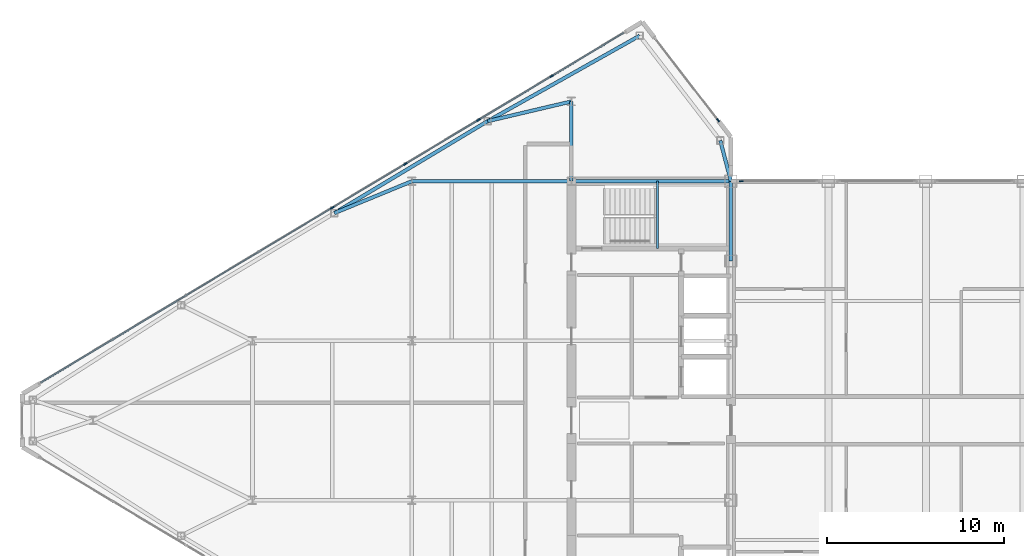
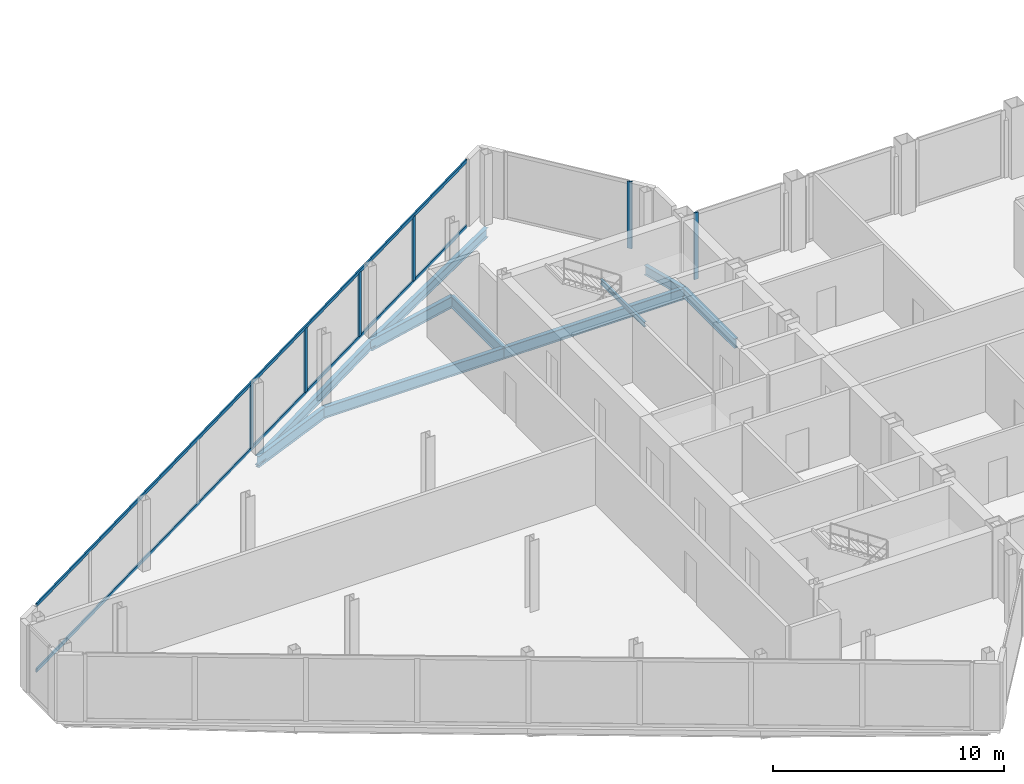
# One storey, part 11 of 28: 10 beams, 8 members, 3 elements without a shape of their own.
"""IFC4 building model written with IfcOpenShell, lengths in metres."""

from ifc_helpers import new_model, si_unit, direction, frame, origin, origin_2d, place, context, subcontext, project, spatial, rectangle, i_section, extrude, source, transform, mapped, material, layer, layer_set, material_profile, profile_set, type_object, type_shapes, element, aggregate, save


model = new_model("IFC4")

# Units and contexts
model_context = context("Model", 3, precision=1e-05, world=origin(), true_north=direction((0.0, 1.0)))
body_context = subcontext(model_context, "Body", "Model", "MODEL_VIEW")
ifc_project = project(units=[si_unit("LENGTHUNIT", "METRE"), si_unit("AREAUNIT", "SQUARE_METRE"), si_unit("VOLUMEUNIT", "CUBIC_METRE"), si_unit("PLANEANGLEUNIT", "RADIAN"), si_unit("MASSUNIT", "GRAM", prefix="KILO")], contexts=[model_context])

# Site, building, storey
site_placement = place(None, origin())
site = spatial("IfcSite", under=ifc_project, at=site_placement, CompositionType="ELEMENT")
building_placement = place(site_placement, origin())
building = spatial("IfcBuilding", under=site, at=building_placement, Name="Seokmaru Belvedere", CompositionType="ELEMENT")
storey_placement = place(building_placement, frame((0.0, 0.0, 261.89990234375)))
storey = spatial("IfcBuildingStorey", under=building, at=storey_placement, Name="L69", CompositionType="ELEMENT", Elevation=261.89990234375)

# Beams
ifc_material_1 = material(Name="Steel SM355 (355 MPa)", Category="steel")
ifc_material_profile_1 = material_profile(ifc_material_1, i_section(OverallWidth=0.199951171875, OverallDepth=0.5, WebThickness=0.010009765625, FlangeThickness=0.01611328125, at=origin_2d()), Name="H-500x200x10x16")
ifc_profile_set_1 = profile_set([ifc_material_profile_1], Name="Steel SM355 (355 MPa)")
beam_type_1 = type_object("IfcBeamType", Name="Perimeter Spandrel Beam H-500", PredefinedType="SPANDREL", material=ifc_profile_set_1)
shared_shape_1 = source(origin(), body_context, "Body", "SweptSolid", [
    extrude(i_section(OverallWidth=0.199951171875, OverallDepth=0.5, WebThickness=0.010009765625, FlangeThickness=0.01611328125, at=origin_2d()), origin(), (0.0, 0.0, 1.0), 4.5),
])
beam_1_placement = place(storey_placement, frame((-27.5, 9.0, -0.469970703125), z_axis=(0.0, 1.0, 0.0), x_axis=(-1.0, 0.0, 0.0)))
element("IfcBeam", 1, at=beam_1_placement, inside=storey, type_object=beam_type_1, Name="L69 W Portal Spine Spandrel 5", PredefinedType="SPANDREL", context=body_context, shape_type="MappedRepresentation", body=[
    mapped(shared_shape_1, transform((0.0, 0.0, 0.0), scale=1.0)),
])
ifc_material_profile_2 = material_profile(ifc_material_1, i_section(OverallWidth=0.199951171875, OverallDepth=0.60009765625, WebThickness=0.010986328125, FlangeThickness=0.01708984375, at=origin_2d()), Name="H-600x200x11x17")
ifc_profile_set_2 = profile_set([ifc_material_profile_2], Name="Steel SM355 (355 MPa)")
beam_type_2 = type_object("IfcBeamType", Name="Primary Floor Girder H-600", PredefinedType="BEAM", material=ifc_profile_set_2)
shared_shape_2 = source(origin(), body_context, "Body", "SweptSolid", [
    extrude(i_section(OverallWidth=0.199951171875, OverallDepth=0.60009765625, WebThickness=0.010986328125, FlangeThickness=0.01708984375, at=origin_2d()), origin(), (0.0, 0.0, 1.0), 9.0),
])
for number, where, z_axis, x_axis, name in (
    (2, (-36.5, 13.5, -0.52001953125), (1.0, 0.0, 0.0), (0.0, 1.0, 0.0), "L69 W Core Tie Girder 4"),
    (3, (-45.5, 13.5, -0.52001953125), (1.0, 0.0, 0.0), (0.0, 1.0, 0.0), "L69 W Wing Primary Girder 4"),
):
    element("IfcBeam", number, at=place(storey_placement, frame(where, z_axis=z_axis, x_axis=x_axis)), inside=storey, type_object=beam_type_2, Name=name, PredefinedType="BEAM", context=body_context, shape_type="MappedRepresentation", body=[
        mapped(shared_shape_2, transform((0.0, 0.0, 0.0), scale=1.0)),
    ])
shared_shape_3 = source(origin(), body_context, "Body", "SweptSolid", [
    extrude(i_section(OverallWidth=0.199951171875, OverallDepth=0.60009765625, WebThickness=0.010986328125, FlangeThickness=0.01708984375, at=origin_2d()), origin(), (0.0, 0.0, 1.0), 4.5),
])
beam_2_placement = place(storey_placement, frame((-36.5, 13.5, -0.52001953125), z_axis=(0.0, 1.0, 0.0), x_axis=(-1.0, 0.0, 0.0)))
element("IfcBeam", 4, at=beam_2_placement, inside=storey, type_object=beam_type_2, Name="L69 W Core Shoulder Girder N", PredefinedType="BEAM", context=body_context, shape_type="MappedRepresentation", body=[
    mapped(shared_shape_3, transform((0.0, 0.0, 0.0), scale=1.0)),
])
shared_shape_4 = source(origin(), body_context, "Body", "SweptSolid", [
    extrude(i_section(OverallWidth=0.199951171875, OverallDepth=0.5, WebThickness=0.010009765625, FlangeThickness=0.01611328125, at=origin_2d()), origin(), (0.0, 0.0, 1.0), 9.842041015625),
])
beam_3_placement = place(storey_placement, frame((-32.649658203125, 21.71044921875, -0.469970703125), z_axis=(-0.871782151818, -0.489893743349, 0.0), x_axis=(0.489893743349, -0.871782151818, 0.0)))
element("IfcBeam", 5, at=beam_3_placement, inside=storey, type_object=beam_type_1, Name="L69 W Faceted Flank Spandrel N-1", PredefinedType="SPANDREL", context=body_context, shape_type="MappedRepresentation", body=[
    mapped(shared_shape_4, transform((0.0, 0.0, 0.0), scale=1.0)),
])
shared_shape_5 = source(origin(), body_context, "Body", "SweptSolid", [
    extrude(i_section(OverallWidth=0.199951171875, OverallDepth=0.5, WebThickness=0.010009765625, FlangeThickness=0.01611328125, at=origin_2d()), origin(), (0.0, 0.0, 1.0), 10.087646484375),
])
beam_4_placement = place(storey_placement, frame((-41.229736328125, 16.888916015625, -0.469970703125), z_axis=(-0.857499332045, -0.514485078056, 0.0), x_axis=(0.514485078056, -0.857499332045, 0.0)))
element("IfcBeam", 6, at=beam_4_placement, inside=storey, type_object=beam_type_1, Name="L69 W Faceted Flank Spandrel N-2", PredefinedType="SPANDREL", context=body_context, shape_type="MappedRepresentation", body=[
    mapped(shared_shape_5, transform((0.0, 0.0, 0.0), scale=1.0)),
])
shared_shape_6 = source(origin(), body_context, "Body", "SweptSolid", [
    extrude(i_section(OverallWidth=0.199951171875, OverallDepth=0.5, WebThickness=0.010009765625, FlangeThickness=0.01611328125, at=origin_2d()), origin(), (0.0, 0.0, 1.0), 2.373046875),
])
type_shapes(beam_type_1, [shared_shape_1, shared_shape_4, shared_shape_5, shared_shape_6])
beam_5_placement = place(storey_placement, frame((-28.10009765625, 15.7958984375, -0.469970703125), z_axis=(0.252882558842, -0.967496982648, 0.0), x_axis=(0.967496982648, 0.252882558842, 0.0)))
element("IfcBeam", 7, at=beam_5_placement, inside=storey, type_object=beam_type_1, Name="L69 W Shoulder Spine Spandrel N", PredefinedType="SPANDREL", context=body_context, shape_type="MappedRepresentation", body=[
    mapped(shared_shape_6, transform((0.0, 0.0, 0.0), scale=1.0)),
])
shared_shape_7 = source(origin(), body_context, "Body", "SweptSolid", [
    extrude(i_section(OverallWidth=0.199951171875, OverallDepth=0.60009765625, WebThickness=0.010986328125, FlangeThickness=0.01708984375, at=origin_2d()), origin(), (0.0, 0.0, 1.0), 4.8583984375),
])
beam_6_placement = place(storey_placement, frame((-41.229736328125, 16.888916015625, -0.52001953125), z_axis=(0.97349948295, 0.228689214211, 0.0), x_axis=(-0.228689214211, 0.97349948295, 0.0)))
element("IfcBeam", 8, at=beam_6_placement, inside=storey, type_object=beam_type_2, Name="L69 W Flank Radial Floor Girder N-1", PredefinedType="BEAM", context=body_context, shape_type="MappedRepresentation", body=[
    mapped(shared_shape_7, transform((0.0, 0.0, 0.0), scale=1.0)),
])
shared_shape_8 = source(origin(), body_context, "Body", "SweptSolid", [
    extrude(i_section(OverallWidth=0.199951171875, OverallDepth=0.60009765625, WebThickness=0.010986328125, FlangeThickness=0.01708984375, at=origin_2d()), origin(), (0.0, 0.0, 1.0), 4.73583984375),
])
type_shapes(beam_type_2, [shared_shape_2, shared_shape_3, shared_shape_7, shared_shape_8])
beam_7_placement = place(storey_placement, frame((-49.8798828125, 11.698974609375, -0.52001953125), z_axis=(0.924860562953, 0.380306375301, 0.0), x_axis=(-0.380306375301, 0.924860562953, 0.0)))
element("IfcBeam", 9, at=beam_7_placement, inside=storey, type_object=beam_type_2, Name="L69 W Flank Radial Floor Girder N-2", PredefinedType="BEAM", context=body_context, shape_type="MappedRepresentation", body=[
    mapped(shared_shape_8, transform((0.0, 0.0, 0.0), scale=1.0)),
])

# Curtain wall, members
ifc_material_2 = material(Name="Bronze Triple Insulating Glass", Category="glass")
ifc_layer = layer(ifc_material_2, 0.219970703125)
ifc_layer_set = layer_set([ifc_layer], Name="Bronze Triple Insulating Glass")
curtain_wall_type = type_object("IfcCurtainWallType", Name="Sky-Gate Bridge Panorama Curtain Wall System CW-6", PredefinedType="NOTDEFINED", material=ifc_layer_set)
curtain_wall_1_placement = place(storey_placement, origin())
curtain_wall_1 = element("IfcCurtainWall", 10, at=curtain_wall_1_placement, inside=storey, type_object=curtain_wall_type, Name="L69 Curtain Wall WF3", PredefinedType="NOTDEFINED")
ifc_material_3 = material(Name="Anodised Bronze Aluminium", Category="aluminium")
ifc_material_profile_3 = material_profile(ifc_material_3, rectangle(XDim=0.074951171875, YDim=0.179931640625, at=origin_2d()), Name="CW-T-75x180")
ifc_profile_set_3 = profile_set([ifc_material_profile_3], Name="Anodised Bronze Aluminium")
member_type_1 = type_object("IfcMemberType", Name="Bronze Unitised Transom 75x180", PredefinedType="USERDEFINED", material=ifc_profile_set_3)
shared_shape_9 = source(origin(), body_context, "Body", "SweptSolid", [
    extrude(rectangle(XDim=0.074951171875, YDim=0.179931640625, at=origin_2d()), origin(), (0.0, 0.0, 1.0), 38.356689453125),
])
type_shapes(member_type_1, [shared_shape_9])
member_1_placement = place(storey_placement, frame((-33.5546875, 21.8671875, 0.03759765625), z_axis=(-0.857492925713, -0.514495755428, 0.0), x_axis=(0.514495755428, -0.857492925713, 0.0)))
member_1 = element("IfcMember", 11, at=member_1_placement, type_object=member_type_1, Name="CW:L69:WF3 Continuous Transom 1", ObjectType="TRANSOM", PredefinedType="USERDEFINED", context=body_context, shape_type="MappedRepresentation", body=[
    mapped(shared_shape_9, transform((0.0, 0.0, 0.0), scale=1.0)),
])
member_2_placement = place(storey_placement, frame((-33.5546875, 21.8671875, 3.49267578125), z_axis=(-0.857492925713, -0.514495755428, 0.0), x_axis=(0.514495755428, -0.857492925713, 0.0)))
member_2 = element("IfcMember", 12, at=member_2_placement, type_object=member_type_1, Name="CW:L69:WF3 Continuous Transom 2", ObjectType="TRANSOM", PredefinedType="USERDEFINED", context=body_context, shape_type="MappedRepresentation", body=[
    mapped(shared_shape_9, transform((0.0, 0.0, 0.0), scale=1.0)),
])

# Curtain wall, member
curtain_wall_2_placement = place(storey_placement, origin())
curtain_wall_2 = element("IfcCurtainWall", 13, at=curtain_wall_2_placement, inside=storey, type_object=curtain_wall_type, Name="L69 Curtain Wall WF2", PredefinedType="NOTDEFINED")
ifc_material_profile_4 = material_profile(ifc_material_3, rectangle(XDim=0.080078125, YDim=0.219970703125, at=origin_2d()), Name="CW-M-80x220")
ifc_profile_set_4 = profile_set([ifc_material_profile_4], Name="Anodised Bronze Aluminium")
member_type_2 = type_object("IfcMemberType", Name="Bronze Unitised Mullion 80x220", PredefinedType="MULLION", material=ifc_profile_set_4)
shared_shape_10 = source(origin(), body_context, "Body", "SweptSolid", [
    extrude(rectangle(XDim=0.080078125, YDim=0.219970703125, at=origin_2d()), origin(), (0.0, 0.0, 1.0), 3.530029296875),
])
member_3_placement = place(storey_placement, frame((-28.2255859375, 16.943115234375, 0.0), z_axis=(0.0, 0.0, 1.0), x_axis=(-0.792631353244, -0.609701187349, 0.0)))
member_3 = element("IfcMember", 14, at=member_3_placement, type_object=member_type_2, Name="CW:L69:WF2 Mullion 1", PredefinedType="MULLION", context=body_context, shape_type="MappedRepresentation", body=[
    mapped(shared_shape_10, transform((0.0, 0.0, 0.0), scale=1.0)),
])
aggregate(curtain_wall_2, [member_3])

curtain_wall_3_placement = place(storey_placement, origin())
curtain_wall_3 = element("IfcCurtainWall", 15, at=curtain_wall_3_placement, inside=storey, type_object=curtain_wall_type, Name="L69 Curtain Wall BR_N01", PredefinedType="NOTDEFINED")
member_4_placement = place(storey_placement, frame((-26.909912109375, 13.5, 0.0), z_axis=(0.0, 0.0, 1.0), x_axis=(0.0, -1.0, 0.0)))
member_4 = element("IfcMember", 16, at=member_4_placement, type_object=member_type_2, Name="CW:L69:BR_N01 Mullion 2", PredefinedType="MULLION", context=body_context, shape_type="MappedRepresentation", body=[
    mapped(shared_shape_10, transform((0.0, 0.0, 0.0), scale=1.0)),
])
aggregate(curtain_wall_3, [member_4])

# Member
shared_shape_11 = source(origin(), body_context, "Body", "SweptSolid", [
    extrude(rectangle(XDim=0.080078125, YDim=0.219970703125, at=origin_2d()), origin(), (0.0, 0.0, 1.0), 3.3798828125),
])
type_shapes(member_type_2, [shared_shape_10, shared_shape_11])
member_5_placement = place(storey_placement, frame((-37.614501953125, 19.43115234375, 0.0751953125), z_axis=(0.0, 0.0, 1.0), x_axis=(0.514494909364, -0.85749343335, 0.0)))
member_5 = element("IfcMember", 17, at=member_5_placement, type_object=member_type_2, Name="CW:L69:WF3 Mullion 2", PredefinedType="MULLION", context=body_context, shape_type="MappedRepresentation", body=[
    mapped(shared_shape_11, transform((0.0, 0.0, 0.0), scale=1.0)),
])

member_6_placement = place(storey_placement, frame((-41.7431640625, 16.9541015625, 0.0751953125), z_axis=(0.0, 0.0, 1.0), x_axis=(0.514494909364, -0.85749343335, 0.0)))
member_6 = element("IfcMember", 18, at=member_6_placement, type_object=member_type_2, Name="CW:L69:WF3 Mullion 3", PredefinedType="MULLION", context=body_context, shape_type="MappedRepresentation", body=[
    mapped(shared_shape_11, transform((0.0, 0.0, 0.0), scale=1.0)),
])

member_7_placement = place(storey_placement, frame((-45.87158203125, 14.47705078125, 0.0751953125), z_axis=(0.0, 0.0, 1.0), x_axis=(0.514494909364, -0.85749343335, 0.0)))
member_7 = element("IfcMember", 19, at=member_7_placement, type_object=member_type_2, Name="CW:L69:WF3 Mullion 4", PredefinedType="MULLION", context=body_context, shape_type="MappedRepresentation", body=[
    mapped(shared_shape_11, transform((0.0, 0.0, 0.0), scale=1.0)),
])

member_8_placement = place(storey_placement, frame((-50.0, 12.0, 0.0751953125), z_axis=(0.0, 0.0, 1.0), x_axis=(0.514494909364, -0.85749343335, 0.0)))
member_8 = element("IfcMember", 20, at=member_8_placement, type_object=member_type_2, Name="CW:L69:WF3 Mullion 5", PredefinedType="MULLION", context=body_context, shape_type="MappedRepresentation", body=[
    mapped(shared_shape_11, transform((0.0, 0.0, 0.0), scale=1.0)),
])

aggregate(curtain_wall_1, [member_5, member_6, member_7, member_8, member_1, member_2])

# Beam
ifc_material_profile_5 = material_profile(ifc_material_1, i_section(OverallWidth=0.125, OverallDepth=0.25, WebThickness=0.006103515625, FlangeThickness=0.009033203125, at=origin_2d()), Name="H-250x125x6x9")
ifc_profile_set_5 = profile_set([ifc_material_profile_5], Name="Steel SM355 (355 MPa)")
beam_type_3 = type_object("IfcBeamType", Name="Stair Mid-Landing Support Beam H-250", PredefinedType="JOIST", material=ifc_profile_set_5)
shared_shape_12 = source(origin(), body_context, "Body", "SweptSolid", [
    extrude(i_section(OverallWidth=0.125, OverallDepth=0.25, WebThickness=0.006103515625, FlangeThickness=0.009033203125, at=origin_2d()), origin(), (0.0, 0.0, 1.0), 3.800048828125),
])
type_shapes(beam_type_3, [shared_shape_12])
beam_8_placement = place(storey_placement, frame((-31.64990234375, 9.699951171875, 1.550048828125), z_axis=(0.0, 1.0, 0.0), x_axis=(-1.0, 0.0, 0.0)))
element("IfcBeam", 21, at=beam_8_placement, inside=storey, type_object=beam_type_3, Name="L69 Stair ST-W2 Mid-Landing Support Beam 1", PredefinedType="JOIST", context=body_context, shape_type="MappedRepresentation", body=[
    mapped(shared_shape_12, transform((0.0, 0.0, 0.0), scale=1.0)),
])

save(model, "model.ifc")
